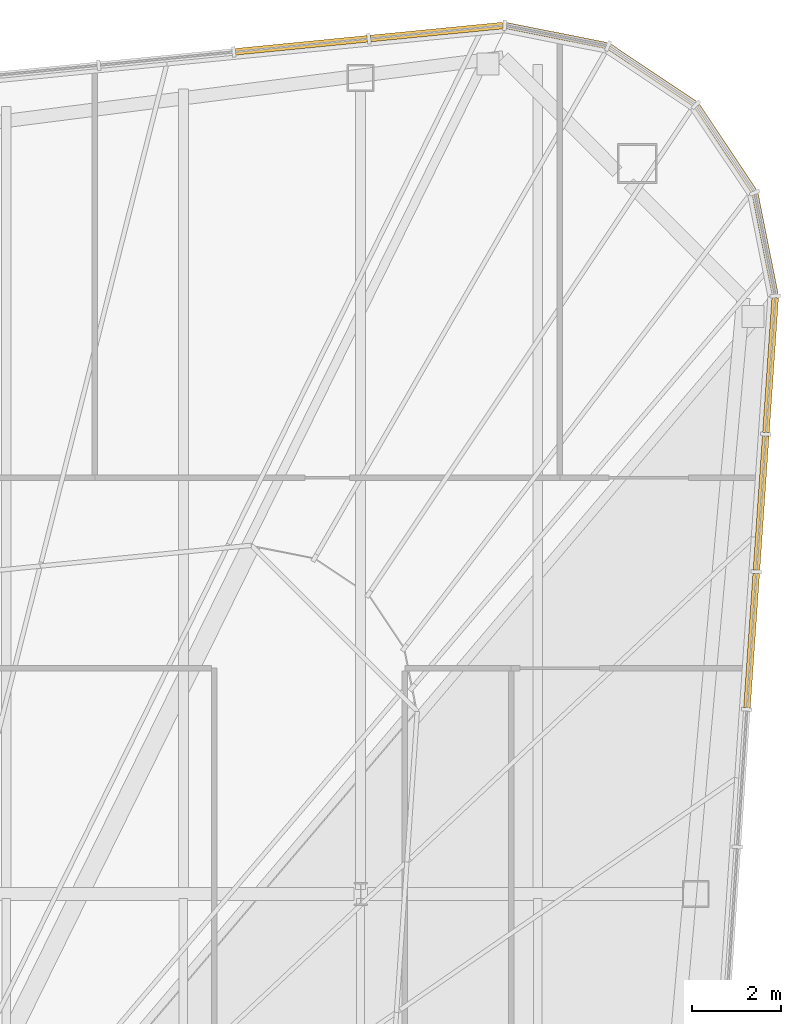
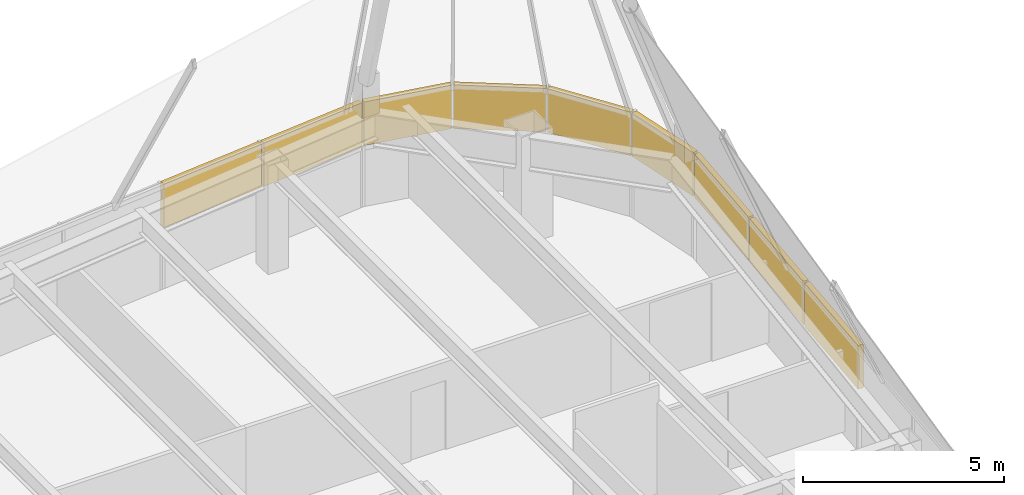
# One storey, part 28 of 28: 9 shading devices, 3 elements without a shape of their own.
"""IFC4 building model written with IfcOpenShell, lengths in metres."""

from ifc_helpers import new_model, si_unit, direction, frame, origin, origin_2d, place, context, subcontext, project, spatial, rectangle, extrude, material, layer, layer_set, type_object, element, aggregate, save


model = new_model("IFC4")

# Units and contexts
model_context = context("Model", 3, precision=1e-05, world=origin(), true_north=direction((0.0, 1.0)))
body_context = subcontext(model_context, "Body", "Model", "MODEL_VIEW")
ifc_project = project(units=[si_unit("LENGTHUNIT", "METRE"), si_unit("AREAUNIT", "SQUARE_METRE"), si_unit("VOLUMEUNIT", "CUBIC_METRE"), si_unit("PLANEANGLEUNIT", "RADIAN"), si_unit("MASSUNIT", "GRAM", prefix="KILO")], contexts=[model_context])

# Site, building, storey
site_placement = place(None, origin())
site = spatial("IfcSite", under=ifc_project, at=site_placement, CompositionType="ELEMENT")
building_placement = place(site_placement, origin())
building = spatial("IfcBuilding", under=site, at=building_placement, Name="Verdant Reach Tower", CompositionType="ELEMENT")
storey_placement = place(building_placement, frame((0.0, 0.0, 368.0)))
storey = spatial("IfcBuildingStorey", under=building, at=storey_placement, Name="L83 Crown plant", CompositionType="ELEMENT", Elevation=368.0)

# Curtain wall, shading devices
ifc_material_1 = material(Name="Anodised aluminium", Category="aluminium")
curtain_wall_type = type_object("IfcCurtainWallType", Name="EN-CW SYSTEM PLANT", PredefinedType="NOTDEFINED", material=ifc_material_1)
curtain_wall_1_placement = place(storey_placement, origin())
curtain_wall_1 = element("IfcCurtainWall", 1, at=curtain_wall_1_placement, inside=storey, type_object=curtain_wall_type, Name="Curtain wall east, L83", PredefinedType="NOTDEFINED")
ifc_material_2 = material(Name="Bronze anodised aluminium louvre", Category="aluminium")
ifc_layer = layer(ifc_material_2, 0.14990234375)
ifc_layer_set = layer_set([ifc_layer], Name="EN-LOUVRE")
shading_device_type = type_object("IfcShadingDeviceType", Name="EN-LOUVRE", PredefinedType="USERDEFINED", material=ifc_layer_set)
shading_device_1_placement = place(storey_placement, frame((20.8330078125, 55.223876953125, 1.8251953125), z_axis=(0.0, 0.0, 1.0), x_axis=(0.068802091615, 0.997630328423, 0.0)))
shading_device_1 = element("IfcShadingDevice", 2, at=shading_device_1_placement, type_object=shading_device_type, Name="Louvre bank east face part 2 5, L83", ObjectType="LOUVRE", PredefinedType="USERDEFINED", context=body_context, shape_type="SweptSolid", body=[
    extrude(rectangle(XDim=3.03857421875, YDim=0.14990234375, at=origin_2d()), origin(), (0.0, 0.0, 1.0), 1.324951171875),
])
shading_device_2_placement = place(storey_placement, frame((21.04736328125, 58.3310546875, 1.8251953125), z_axis=(0.0, 0.0, 1.0), x_axis=(0.068802091615, 0.997630328423, 0.0)))
shading_device_2 = element("IfcShadingDevice", 3, at=shading_device_2_placement, type_object=shading_device_type, Name="Louvre bank east face part 2 6, L83", ObjectType="LOUVRE", PredefinedType="USERDEFINED", context=body_context, shape_type="SweptSolid", body=[
    extrude(rectangle(XDim=3.03857421875, YDim=0.14990234375, at=origin_2d()), origin(), (0.0, 0.0, 1.0), 1.324951171875),
])
shading_device_3_placement = place(storey_placement, frame((21.261474609375, 61.446044921875, 1.8251953125), z_axis=(0.0, 0.0, 1.0), x_axis=(0.068469163133, 0.997653233193, 0.0)))
shading_device_3 = element("IfcShadingDevice", 4, at=shading_device_3_placement, type_object=shading_device_type, Name="Louvre bank east face part 2 7, L83", ObjectType="LOUVRE", PredefinedType="USERDEFINED", context=body_context, shape_type="SweptSolid", body=[
    extrude(rectangle(XDim=3.05419921875, YDim=0.14990234375, at=origin_2d()), origin(), (0.0, 0.0, 1.0), 1.324951171875),
])
aggregate(curtain_wall_1, [shading_device_1, shading_device_2, shading_device_3])

curtain_wall_2_placement = place(storey_placement, origin())
curtain_wall_2 = element("IfcCurtainWall", 5, at=curtain_wall_2_placement, inside=storey, type_object=curtain_wall_type, Name="Curtain wall north-east corner, L83", PredefinedType="NOTDEFINED")
shading_device_4_placement = place(storey_placement, frame((21.135986328125, 64.174560546875, 1.8251953125), z_axis=(0.0, 0.0, 1.0), x_axis=(-0.195592962334, 0.980685165119, 0.0)))
shading_device_4 = element("IfcShadingDevice", 6, at=shading_device_4_placement, type_object=shading_device_type, Name="Louvre bank north-east corner 1, L83", ObjectType="LOUVRE", PredefinedType="USERDEFINED", context=body_context, shape_type="SweptSolid", body=[
    extrude(rectangle(XDim=2.303955078125, YDim=0.14990234375, at=origin_2d()), origin(), (0.0, 0.0, 1.0), 1.324951171875),
])
shading_device_5_placement = place(storey_placement, frame((20.239990234375, 66.334228515625, 1.8251953125), z_axis=(0.0, 0.0, 1.0), x_axis=(-0.555596466265, 0.83145208321, 0.0)))
shading_device_5 = element("IfcShadingDevice", 7, at=shading_device_5_placement, type_object=shading_device_type, Name="Louvre bank north-east corner 2, L83", ObjectType="LOUVRE", PredefinedType="USERDEFINED", context=body_context, shape_type="SweptSolid", body=[
    extrude(rectangle(XDim=2.3115234375, YDim=0.14990234375, at=origin_2d()), origin(), (0.0, 0.0, 1.0), 1.324951171875),
])
shading_device_6_placement = place(storey_placement, frame((18.584228515625, 67.989990234375, 1.8251953125), z_axis=(0.0, 0.0, 1.0), x_axis=(-0.83145208321, 0.555596466265, 0.0)))
shading_device_6 = element("IfcShadingDevice", 8, at=shading_device_6_placement, type_object=shading_device_type, Name="Louvre bank north-east corner 3, L83", ObjectType="LOUVRE", PredefinedType="USERDEFINED", context=body_context, shape_type="SweptSolid", body=[
    extrude(rectangle(XDim=2.3115234375, YDim=0.14990234375, at=origin_2d()), origin(), (0.0, 0.0, 1.0), 1.324951171875),
])
shading_device_7_placement = place(storey_placement, frame((16.423828125, 68.885986328125, 1.8251953125), z_axis=(0.0, 0.0, 1.0), x_axis=(-0.980705120874, 0.195492879387, 0.0)))
shading_device_7 = element("IfcShadingDevice", 9, at=shading_device_7_placement, type_object=shading_device_type, Name="Louvre bank north-east corner 4, L83", ObjectType="LOUVRE", PredefinedType="USERDEFINED", context=body_context, shape_type="SweptSolid", body=[
    extrude(rectangle(XDim=2.3056640625, YDim=0.14990234375, at=origin_2d()), origin(), (0.0, 0.0, 1.0), 1.324951171875),
])
aggregate(curtain_wall_2, [shading_device_4, shading_device_5, shading_device_6, shading_device_7])

curtain_wall_3_placement = place(storey_placement, origin())
curtain_wall_3 = element("IfcCurtainWall", 10, at=curtain_wall_3_placement, inside=storey, type_object=curtain_wall_type, Name="Curtain wall north, L83", PredefinedType="NOTDEFINED")
shading_device_8_placement = place(storey_placement, frame((13.72216796875, 68.96875, 1.8251953125), z_axis=(0.0, 0.0, 1.0), x_axis=(-0.995238191716, -0.097472774402, 0.0)))
shading_device_8 = element("IfcShadingDevice", 11, at=shading_device_8_placement, type_object=shading_device_type, Name="Louvre bank north face part 1 1, L83", ObjectType="LOUVRE", PredefinedType="USERDEFINED", context=body_context, shape_type="SweptSolid", body=[
    extrude(rectangle(XDim=3.006103515625, YDim=0.14990234375, at=origin_2d()), origin(), (0.0, 0.0, 1.0), 1.324951171875),
])
shading_device_9_placement = place(storey_placement, frame((10.663330078125, 68.66845703125, 1.8251953125), z_axis=(0.0, 0.0, 1.0), x_axis=(-0.995197410875, -0.09788826992, 0.0)))
shading_device_9 = element("IfcShadingDevice", 12, at=shading_device_9_placement, type_object=shading_device_type, Name="Louvre bank north face part 1 2, L83", ObjectType="LOUVRE", PredefinedType="USERDEFINED", context=body_context, shape_type="SweptSolid", body=[
    extrude(rectangle(XDim=2.98876953125, YDim=0.14990234375, at=origin_2d()), origin(), (0.0, 0.0, 1.0), 1.324951171875),
])
aggregate(curtain_wall_3, [shading_device_8, shading_device_9])

save(model, "model.ifc")
